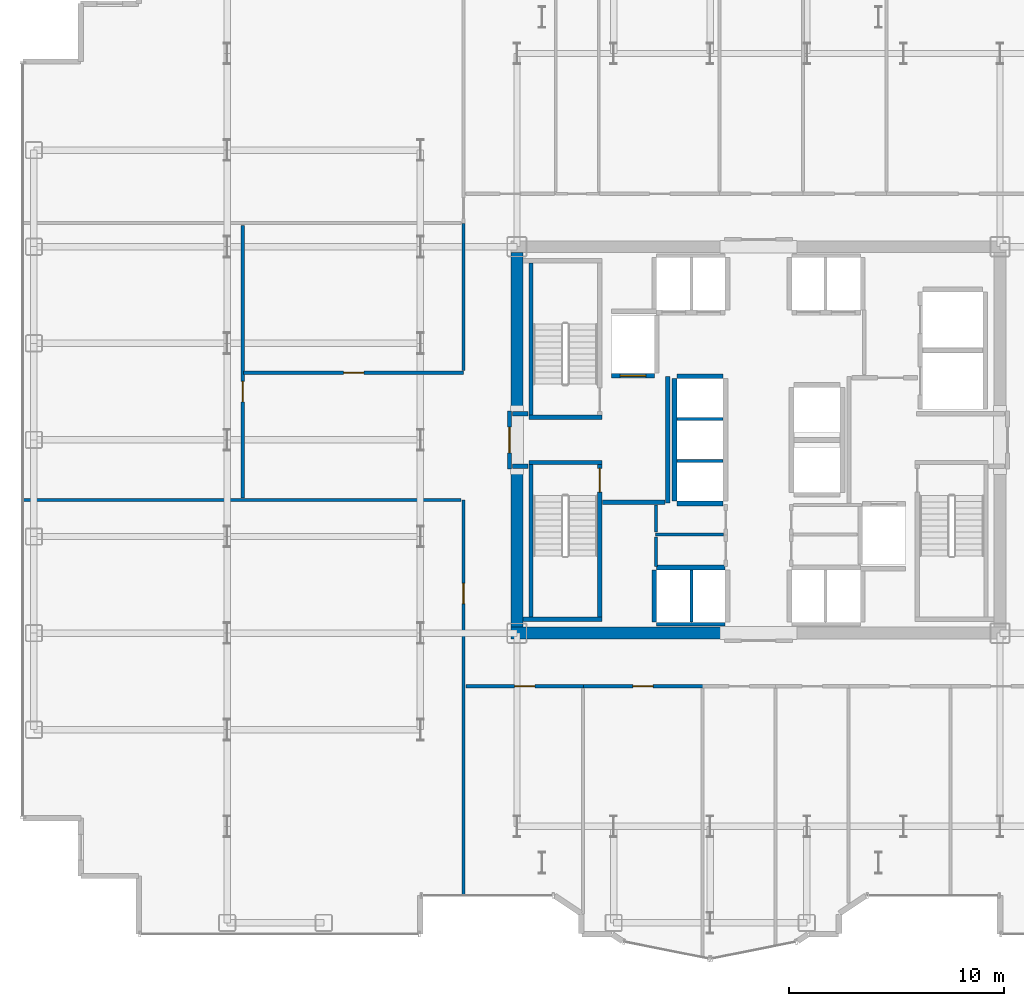
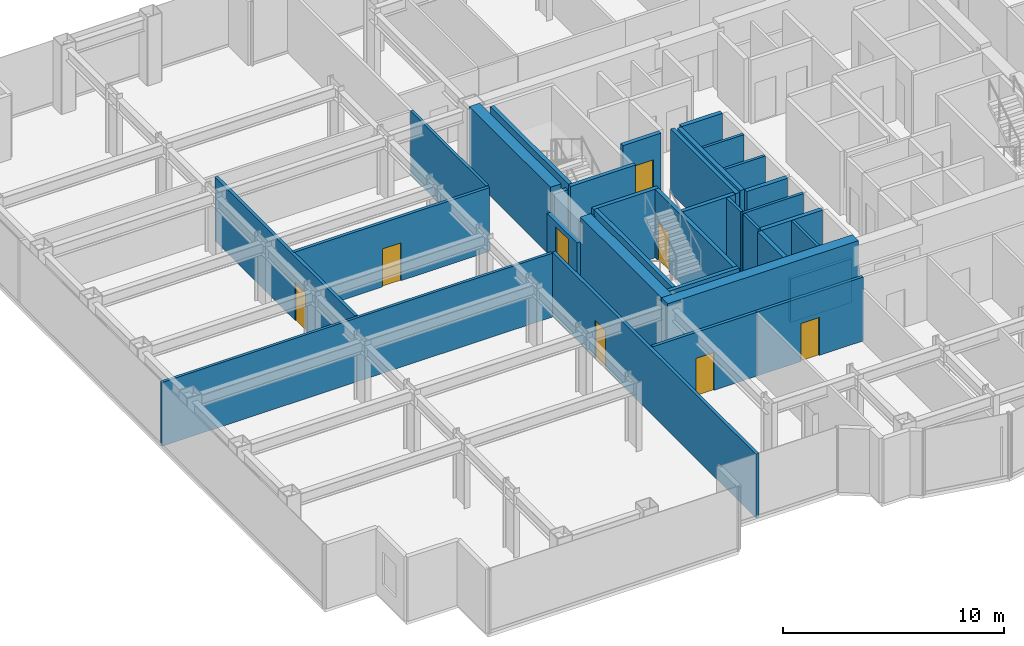
# One storey, part 20 of 25: 34 walls, 8 doors, 8 openings.
"""IFC4 building model written with IfcOpenShell, lengths in metres."""

from ifc_helpers import new_model, si_unit, direction, frame, frame_2d, origin, place, context, subcontext, project, spatial, rectangle, extrude, source, transform, mapped, material, layer, layer_set, type_object, element, fill, save


model = new_model("IFC4")

# Units and contexts
model_context = context("Model", 3, precision=1e-05, world=origin(), true_north=direction((0.0, 1.0)))
body_context = subcontext(model_context, "Body", "Model", "MODEL_VIEW")
ifc_project = project(units=[si_unit("LENGTHUNIT", "METRE"), si_unit("AREAUNIT", "SQUARE_METRE"), si_unit("VOLUMEUNIT", "CUBIC_METRE"), si_unit("PLANEANGLEUNIT", "RADIAN"), si_unit("MASSUNIT", "GRAM", prefix="KILO")], contexts=[model_context])

# Site, building, storey
site_placement = place(None, origin())
site = spatial("IfcSite", under=ifc_project, at=site_placement, CompositionType="ELEMENT")
building_placement = place(site_placement, origin())
building = spatial("IfcBuilding", under=site, at=building_placement, Name="Nefas-Gora Pilgrimage Tower", CompositionType="ELEMENT")
storey_placement = place(building_placement, frame((0.0, 0.0, 109.800048828125)))
storey = spatial("IfcBuildingStorey", under=building, at=storey_placement, Name="L26", CompositionType="ELEMENT", Elevation=109.800048828125)

# Walls
ifc_material_1 = material(Name="Concrete C60/75", Category="concrete")
ifc_layer_1 = layer(ifc_material_1, 0.550048828125)
ifc_layer_set_1 = layer_set([ifc_layer_1], Name="Concrete C60/75")
wall_type_1 = type_object("IfcWallType", Name="SW-CORE-550", PredefinedType="SHEAR", material=ifc_layer_set_1)
shared_shape_1 = source(origin(), body_context, "Body", "SweptSolid", [
    extrude(rectangle(XDim=9.974853515625, YDim=0.550048828125, at=frame_2d((4.9873046875, 0.0))), origin(), (0.0, 0.0, 1.0), 3.800048828125),
])
wall_1_placement = place(storey_placement, frame((-11.52490234375, -9.0, 0.0), z_axis=(0.0, 0.0, 1.0), x_axis=(1.0, 0.0, 0.0)))
element("IfcWall", 1, at=wall_1_placement, inside=storey, type_object=wall_type_1, Name="L26 Core Shear Wall S-West", PredefinedType="SHEAR", context=body_context, shape_type="MappedRepresentation", body=[
    mapped(shared_shape_1, transform((0.0, 0.0, 0.0), x_axis=(1.0, 0.0, 0.0), y_axis=(0.0, 1.0, 0.0), z_axis=(0.0, 0.0, 1.0), scale=1.0)),
])
shared_shape_2 = source(origin(), body_context, "Body", "SweptSolid", [
    extrude(rectangle(XDim=7.375, YDim=0.550048828125, at=frame_2d((3.6875, 0.0))), origin(), (0.0, 0.0, 1.0), 3.800048828125),
])
for number, where, z_axis, x_axis, name in (
    (2, (-11.25, -8.72509765625, 0.0), (0.0, 0.0, 1.0), (0.0, 1.0, 0.0), "L26 Core Shear Wall W-South"),
    (3, (-11.25, 1.35009765625, 0.0), (0.0, 0.0, 1.0), (0.0, 1.0, 0.0), "L26 Core Shear Wall W-North"),
):
    element("IfcWall", number, at=place(storey_placement, frame(where, z_axis=z_axis, x_axis=x_axis)), inside=storey, type_object=wall_type_1, Name=name, PredefinedType="SHEAR", context=body_context, shape_type="MappedRepresentation", body=[
        mapped(shared_shape_2, transform((0.0, 0.0, 0.0), x_axis=(1.0, 0.0, 0.0), y_axis=(0.0, 1.0, 0.0), z_axis=(0.0, 0.0, 1.0), scale=1.0)),
    ])
ifc_material_2 = material(Name="Concrete C45/55", Category="concrete")
ifc_layer_2 = layer(ifc_material_2, 0.199951171875)
ifc_layer_set_2 = layer_set([ifc_layer_2], Name="Concrete C45/55")
wall_type_2 = type_object("IfcWallType", Name="IW-STAIR-200", PredefinedType="SOLIDWALL", material=ifc_layer_set_2)
shared_shape_3 = source(origin(), body_context, "Body", "SweptSolid", [
    extrude(rectangle(XDim=3.39990234375, YDim=0.199951171875, at=frame_2d((1.699951171875, 0.0))), origin(), (0.0, 0.0, 1.0), 3.800048828125),
])
for number, where, z_axis, x_axis, name in (
    (4, (-7.300048828125, 1.050048828125, 0.0), (0.0, 0.0, 1.0), (-1.0, 0.0, 0.0), "L26 Stairwell Shear Wall ST-01-near"),
    (5, (-10.699951171875, -1.050048828125, 0.0), (0.0, 0.0, 1.0), (1.0, 0.0, 0.0), "L26 Stairwell Shear Wall ST-03-near"),
):
    element("IfcWall", number, at=place(storey_placement, frame(where, z_axis=z_axis, x_axis=x_axis)), inside=storey, type_object=wall_type_2, Name=name, PredefinedType="SOLIDWALL", context=body_context, shape_type="MappedRepresentation", body=[
        mapped(shared_shape_3, transform((0.0, 0.0, 0.0), x_axis=(1.0, 0.0, 0.0), y_axis=(0.0, 1.0, 0.0), z_axis=(0.0, 0.0, 1.0), scale=1.0)),
    ])
shared_shape_4 = source(origin(), body_context, "Body", "SweptSolid", [
    extrude(rectangle(XDim=7.10009765625, YDim=0.199951171875, at=frame_2d((3.550048828125, 0.0))), origin(), (0.0, 0.0, 1.0), 3.800048828125),
])
for number, where, z_axis, x_axis, name in (
    (6, (-10.60009765625, 1.14990234375, 0.0), (0.0, 0.0, 1.0), (0.0, 1.0, 0.0), "L26 Stairwell Shear Wall ST-01-right"),
    (7, (-10.60009765625, -1.14990234375, 0.0), (0.0, 0.0, 1.0), (0.0, -1.0, 0.0), "L26 Stairwell Shear Wall ST-03-left"),
):
    element("IfcWall", number, at=place(storey_placement, frame(where, z_axis=z_axis, x_axis=x_axis)), inside=storey, type_object=wall_type_2, Name=name, PredefinedType="SOLIDWALL", context=body_context, shape_type="MappedRepresentation", body=[
        mapped(shared_shape_4, transform((0.0, 0.0, 0.0), x_axis=(1.0, 0.0, 0.0), y_axis=(0.0, 1.0, 0.0), z_axis=(0.0, 0.0, 1.0), scale=1.0)),
    ])

# Wall, opening, door
wall_2_placement = place(storey_placement, frame((-7.39990234375, -1.14990234375, 0.0), z_axis=(0.0, 0.0, 1.0), x_axis=(0.0, -1.0, 0.0)))
wall_2 = element("IfcWall", 8, at=wall_2_placement, inside=storey, type_object=wall_type_2, Name="L26 Stairwell Shear Wall ST-03-right", PredefinedType="SOLIDWALL", context=body_context, shape_type="MappedRepresentation", body=[
    mapped(shared_shape_4, transform((0.0, 0.0, 0.0), x_axis=(1.0, 0.0, 0.0), y_axis=(0.0, 1.0, 0.0), z_axis=(0.0, 0.0, 1.0), scale=1.0)),
])
opening_1_placement = place(wall_2_placement, frame((0.179931640625, 0.0, 0.0)))
opening_1 = element("IfcOpeningElement", 9, at=opening_1_placement, cuts=wall_2, Name="Opening ID-ST1", PredefinedType="OPENING", context=body_context, shape_type="SweptSolid", body=[
    extrude(rectangle(XDim=1.10009765625, YDim=2.14990234375, at=frame_2d((0.550048828125, 1.074951171875))), frame((0.0, 0.10986328125, 0.0), z_axis=(0.0, -1.0, 0.0), x_axis=(1.0, 0.0, 0.0)), (0.0, 0.0, 1.0), 0.219970703125),
])
ifc_material_3 = material(Name="Painted galvanised steel fire stair door", Category="steel")
door_type_1 = type_object("IfcDoorType", Name="DR-INT-STAIR-1100", OperationType="NOTDEFINED", PredefinedType="DOOR", material=ifc_material_3)
shared_shape_5 = source(origin(), body_context, "Body", "SweptSolid", [
    extrude(rectangle(XDim=1.10009765625, YDim=2.14990234375, at=frame_2d((0.550048828125, 1.074951171875))), frame((0.0, 0.02490234375, 0.0), z_axis=(0.0, -1.0, 0.0), x_axis=(1.0, 0.0, 0.0)), (0.0, 0.0, 1.0), 0.050048828125),
])
door_1_placement = place(opening_1_placement, origin())
door_1 = element("IfcDoor", 10, at=door_1_placement, inside=storey, type_object=door_type_1, Name="L26 Protected Exit Stair Door ST-03", OperationType="SINGLE_SWING_RIGHT", OverallHeight=2.14990234375, OverallWidth=1.10009765625, PredefinedType="DOOR", context=body_context, shape_type="MappedRepresentation", body=[
    mapped(shared_shape_5, transform((0.0, 0.0, 0.0), x_axis=(1.0, 0.0, 0.0), y_axis=(0.0, 1.0, 0.0), z_axis=(0.0, 0.0, 1.0), scale=1.0)),
])
fill(opening_1, door_1)

# Wall
shared_shape_6 = source(origin(), body_context, "Body", "SweptSolid", [
    extrude(rectangle(XDim=3.679931640625, YDim=0.199951171875, at=frame_2d((1.83984375, 0.0))), origin(), (0.0, 0.0, 1.0), 3.800048828125),
])
wall_3_placement = place(storey_placement, frame((-10.97998046875, -8.35009765625, 0.0), z_axis=(0.0, 0.0, 1.0), x_axis=(1.0, 0.0, 0.0)))
element("IfcWall", 11, at=wall_3_placement, inside=storey, type_object=wall_type_2, Name="L26 Stairwell Shear Wall ST-03-far", PredefinedType="SOLIDWALL", context=body_context, shape_type="MappedRepresentation", body=[
    mapped(shared_shape_6, transform((0.0, 0.0, 0.0), x_axis=(1.0, 0.0, 0.0), y_axis=(0.0, 1.0, 0.0), z_axis=(0.0, 0.0, 1.0), scale=1.0)),
])

# Wall, opening, door
ifc_material_4 = material(Name="Concrete C40/50", Category="concrete")
ifc_layer_3 = layer(ifc_material_4, 0.219970703125)
ifc_layer_set_3 = layer_set([ifc_layer_3], Name="Concrete C40/50")
wall_type_3 = type_object("IfcWallType", Name="IW-SHAFT-220", PredefinedType="SOLIDWALL", material=ifc_layer_set_3)
shared_shape_7 = source(origin(), body_context, "Body", "SweptSolid", [
    extrude(rectangle(XDim=2.0, YDim=0.219970703125, at=frame_2d((1.0, 0.0))), origin(), (0.0, 0.0, 1.0), 3.534912109375),
])
wall_4_placement = place(storey_placement, frame((-6.85009765625, 2.989990234375, 0.0), z_axis=(0.0, 0.0, 1.0), x_axis=(1.0, 0.0, 0.0)))
wall_4 = element("IfcWall", 12, at=wall_4_placement, inside=storey, type_object=wall_type_3, Name="L26 Hoistway Wall FFL-01-S", PredefinedType="SOLIDWALL", context=body_context, shape_type="MappedRepresentation", body=[
    mapped(shared_shape_7, transform((0.0, 0.0, 0.0), x_axis=(1.0, 0.0, 0.0), y_axis=(0.0, 1.0, 0.0), z_axis=(0.0, 0.0, 1.0), scale=1.0)),
])
opening_2_placement = place(wall_4_placement, frame((0.39990234375, 0.0, 0.0)))
opening_2 = element("IfcOpeningElement", 13, at=opening_2_placement, cuts=wall_4, Name="Opening LD-FF", PredefinedType="OPENING", context=body_context, shape_type="SweptSolid", body=[
    extrude(rectangle(XDim=1.199951171875, YDim=2.199951171875, at=frame_2d((0.60009765625, 1.10009765625))), frame((0.0, 0.119873046875, 0.0), z_axis=(0.0, -1.0, 0.0), x_axis=(1.0, 0.0, 0.0)), (0.0, 0.0, 1.0), 0.239990234375),
])
ifc_material_5 = material(Name="Fire-service sliding lift landing door")
door_type_2 = type_object("IfcDoorType", Name="DR-LIFT-FSAE-1200", OperationType="SLIDING_TO_LEFT", PredefinedType="DOOR", material=ifc_material_5)
shared_shape_8 = source(origin(), body_context, "Body", "SweptSolid", [
    extrude(rectangle(XDim=1.199951171875, YDim=2.199951171875, at=frame_2d((0.60009765625, 1.10009765625))), frame((0.0, 0.02490234375, 0.0), z_axis=(0.0, -1.0, 0.0), x_axis=(1.0, 0.0, 0.0)), (0.0, 0.0, 1.0), 0.050048828125),
])
door_2_placement = place(opening_2_placement, origin())
door_2 = element("IfcDoor", 14, at=door_2_placement, inside=storey, type_object=door_type_2, Name="L26 Sliding Lift Landing Door FFL-01", OperationType="SLIDING_TO_LEFT", OverallHeight=2.199951171875, OverallWidth=1.199951171875, PredefinedType="DOOR", context=body_context, shape_type="MappedRepresentation", body=[
    mapped(shared_shape_8, transform((0.0, 0.0, 0.0), x_axis=(1.0, 0.0, 0.0), y_axis=(0.0, 1.0, 0.0), z_axis=(0.0, 0.0, 1.0), scale=1.0)),
])
fill(opening_2, door_2)

# Walls
shared_shape_9 = source(origin(), body_context, "Body", "SweptSolid", [
    extrude(rectangle(XDim=3.199951171875, YDim=0.219970703125, at=frame_2d((1.60009765625, 0.0))), origin(), (0.0, 0.0, 1.0), 3.534912109375),
])
wall_5_placement = place(storey_placement, frame((-1.550048828125, -5.93994140625, 0.0), z_axis=(0.0, 0.0, 1.0), x_axis=(-1.0, 0.0, 0.0)))
element("IfcWall", 15, at=wall_5_placement, inside=storey, type_object=wall_type_3, Name="L26 Hoistway Wall PL2-W-N", PredefinedType="SOLIDWALL", context=body_context, shape_type="MappedRepresentation", body=[
    mapped(shared_shape_9, transform((0.0, 0.0, 0.0), x_axis=(1.0, 0.0, 0.0), y_axis=(0.0, 1.0, 0.0), z_axis=(0.0, 0.0, 1.0), scale=1.0)),
])
ifc_material_6 = material(Name="Gypsum acoustic stud partition")
ifc_layer_4 = layer(ifc_material_6, 0.159912109375)
ifc_layer_set_4 = layer_set([ifc_layer_4], Name="Gypsum acoustic stud partition")
wall_type_4 = type_object("IfcWallType", Name="IW-CORR-160", PredefinedType="PARTITIONING", material=ifc_layer_set_4)
shared_shape_10 = source(origin(), body_context, "Body", "SweptSolid", [
    extrude(rectangle(XDim=3.199951171875, YDim=0.159912109375, at=frame_2d((1.60009765625, 0.0))), origin(), (0.0, 0.0, 1.0), 2.425048828125),
])
wall_6_placement = place(storey_placement, frame((-4.75, -8.580078125, 0.0), z_axis=(0.0, 0.0, 1.0), x_axis=(1.0, 0.0, 0.0)))
element("IfcWall", 16, at=wall_6_placement, inside=storey, type_object=wall_type_4, Name="L26 Hoistway Wall PL2-W-S", PredefinedType="PARTITIONING", context=body_context, shape_type="MappedRepresentation", body=[
    mapped(shared_shape_10, transform((0.0, 0.0, 0.0), x_axis=(1.0, 0.0, 0.0), y_axis=(0.0, 1.0, 0.0), z_axis=(0.0, 0.0, 1.0), scale=1.0)),
])
shared_shape_11 = source(origin(), body_context, "Body", "SweptSolid", [
    extrude(rectangle(XDim=2.429931640625, YDim=0.219970703125, at=frame_2d((1.21484375, 0.0))), origin(), (0.0, 0.0, 1.0), 3.534912109375),
])
wall_7_placement = place(storey_placement, frame((-4.860107421875, -6.06005859375, 0.0), z_axis=(0.0, 0.0, 1.0), x_axis=(0.0, -1.0, 0.0)))
element("IfcWall", 17, at=wall_7_placement, inside=storey, type_object=wall_type_3, Name="L26 Hoistway Wall PL2-W-W", PredefinedType="SOLIDWALL", context=body_context, shape_type="MappedRepresentation", body=[
    mapped(shared_shape_11, transform((0.0, 0.0, 0.0), x_axis=(1.0, 0.0, 0.0), y_axis=(0.0, 1.0, 0.0), z_axis=(0.0, 0.0, 1.0), scale=1.0)),
])
ifc_material_7 = material(Name="Gypsum twin-stud partition")
ifc_layer_5 = layer(ifc_material_7, 0.139892578125)
ifc_layer_set_5 = layer_set([ifc_layer_5], Name="Gypsum twin-stud partition")
wall_type_5 = type_object("IfcWallType", Name="IW-UNIT-140", PredefinedType="PARTITIONING", material=ifc_layer_set_5)
shared_shape_12 = source(origin(), body_context, "Body", "SweptSolid", [
    extrude(rectangle(XDim=2.429931640625, YDim=0.139892578125, at=frame_2d((1.21484375, 0.0))), origin(), (0.0, 0.0, 1.0), 3.534912109375),
])
wall_8_placement = place(storey_placement, frame((-3.125, -8.489990234375, 0.0), z_axis=(0.0, 0.0, 1.0), x_axis=(0.0, 1.0, 0.0)))
element("IfcWall", 18, at=wall_8_placement, inside=storey, type_object=wall_type_5, Name="L26 Hoistway Wall PL2-W-DIV", PredefinedType="PARTITIONING", context=body_context, shape_type="MappedRepresentation", body=[
    mapped(shared_shape_12, transform((0.0, 0.0, 0.0), x_axis=(1.0, 0.0, 0.0), y_axis=(0.0, 1.0, 0.0), z_axis=(0.0, 0.0, 1.0), scale=1.0)),
])
shared_shape_13 = source(origin(), body_context, "Body", "SweptSolid", [
    extrude(rectangle(XDim=5.7001953125, YDim=0.219970703125, at=frame_2d((2.85009765625, 0.0))), origin(), (0.0, 0.0, 1.0), 3.534912109375),
])
wall_9_placement = place(storey_placement, frame((-3.909912109375, 2.85009765625, 0.0), z_axis=(0.0, 0.0, 1.0), x_axis=(0.0, -1.0, 0.0)))
element("IfcWall", 19, at=wall_9_placement, inside=storey, type_object=wall_type_3, Name="L26 Hoistway Wall PL3-01-03-W", PredefinedType="SOLIDWALL", context=body_context, shape_type="MappedRepresentation", body=[
    mapped(shared_shape_13, transform((0.0, 0.0, 0.0), x_axis=(1.0, 0.0, 0.0), y_axis=(0.0, 1.0, 0.0), z_axis=(0.0, 0.0, 1.0), scale=1.0)),
])
shared_shape_14 = source(origin(), body_context, "Body", "SweptSolid", [
    extrude(rectangle(XDim=2.130126953125, YDim=0.219970703125, at=frame_2d((1.06494140625, 0.0))), origin(), (0.0, 0.0, 1.0), 3.534912109375),
])
for number, where, z_axis, x_axis, name in (
    (20, (-3.7900390625, -2.9599609375, 0.0), (0.0, 0.0, 1.0), (1.0, 0.0, 0.0), "L26 Hoistway Wall PL3-01-S"),
    (21, (-1.659912109375, 2.9599609375, 0.0), (0.0, 0.0, 1.0), (-1.0, 0.0, 0.0), "L26 Hoistway Wall PL3-03-N"),
):
    element("IfcWall", number, at=place(storey_placement, frame(where, z_axis=z_axis, x_axis=x_axis)), inside=storey, type_object=wall_type_3, Name=name, PredefinedType="SOLIDWALL", context=body_context, shape_type="MappedRepresentation", body=[
        mapped(shared_shape_14, transform((0.0, 0.0, 0.0), x_axis=(1.0, 0.0, 0.0), y_axis=(0.0, 1.0, 0.0), z_axis=(0.0, 0.0, 1.0), scale=1.0)),
    ])
shared_shape_15 = source(origin(), body_context, "Body", "SweptSolid", [
    extrude(rectangle(XDim=2.130126953125, YDim=0.139892578125, at=frame_2d((1.06494140625, 0.0))), origin(), (0.0, 0.0, 1.0), 3.534912109375),
])
for number, where, z_axis, x_axis, name in (
    (22, (-3.7900390625, -0.97509765625, 0.0), (0.0, 0.0, 1.0), (1.0, 0.0, 0.0), "L26 Hoistway Wall PL3-01-02-DIV"),
    (23, (-3.7900390625, 0.97509765625, 0.0), (0.0, 0.0, 1.0), (1.0, 0.0, 0.0), "L26 Hoistway Wall PL3-02-03-DIV"),
):
    element("IfcWall", number, at=place(storey_placement, frame(where, z_axis=z_axis, x_axis=x_axis)), inside=storey, type_object=wall_type_5, Name=name, PredefinedType="PARTITIONING", context=body_context, shape_type="MappedRepresentation", body=[
        mapped(shared_shape_15, transform((0.0, 0.0, 0.0), x_axis=(1.0, 0.0, 0.0), y_axis=(0.0, 1.0, 0.0), z_axis=(0.0, 0.0, 1.0), scale=1.0)),
    ])

# Wall, opening, door
ifc_material_8 = material(Name="Gypsum fire-rated shaftwall")
ifc_layer_6 = layer(ifc_material_8, 0.199951171875)
ifc_layer_set_6 = layer_set([ifc_layer_6], Name="Gypsum fire-rated shaftwall")
wall_type_6 = type_object("IfcWallType", Name="IW-FFLOB-200", PredefinedType="PARTITIONING", material=ifc_layer_set_6)
shared_shape_16 = source(origin(), body_context, "Body", "SweptSolid", [
    extrude(rectangle(XDim=2.7001953125, YDim=0.199951171875, at=frame_2d((1.35009765625, 0.0))), origin(), (0.0, 0.0, 1.0), 2.425048828125),
])
wall_10_placement = place(storey_placement, frame((-11.60009765625, -1.35009765625, 0.0), z_axis=(0.0, 0.0, 1.0), x_axis=(0.0, 1.0, 0.0)))
wall_10 = element("IfcWall", 24, at=wall_10_placement, inside=storey, type_object=wall_type_6, Name="L26 FF Lobby West Portal Wall 3", PredefinedType="PARTITIONING", context=body_context, shape_type="MappedRepresentation", body=[
    mapped(shared_shape_16, transform((0.0, 0.0, 0.0), x_axis=(1.0, 0.0, 0.0), y_axis=(0.0, 1.0, 0.0), z_axis=(0.0, 0.0, 1.0), scale=1.0)),
])
opening_3_placement = place(wall_10_placement, frame((0.75, 0.0, 0.0)))
opening_3 = element("IfcOpeningElement", 25, at=opening_3_placement, cuts=wall_10, Name="Opening ID-FF1", PredefinedType="OPENING", context=body_context, shape_type="SweptSolid", body=[
    extrude(rectangle(XDim=1.199951171875, YDim=2.14990234375, at=frame_2d((0.60009765625, 1.074951171875))), frame((0.0, 0.10986328125, 0.0), z_axis=(0.0, -1.0, 0.0), x_axis=(1.0, 0.0, 0.0)), (0.0, 0.0, 1.0), 0.219970703125),
])
ifc_material_9 = material(Name="Smoke-sealed steel firefighting lobby door", Category="steel")
door_type_3 = type_object("IfcDoorType", Name="DR-INT-FFLOB-1200", OperationType="NOTDEFINED", PredefinedType="DOOR", material=ifc_material_9)
shared_shape_17 = source(origin(), body_context, "Body", "SweptSolid", [
    extrude(rectangle(XDim=1.199951171875, YDim=2.14990234375, at=frame_2d((0.60009765625, 1.074951171875))), frame((0.0, 0.02490234375, 0.0), z_axis=(0.0, -1.0, 0.0), x_axis=(1.0, 0.0, 0.0)), (0.0, 0.0, 1.0), 0.050048828125),
])
door_3_placement = place(opening_3_placement, origin())
door_3 = element("IfcDoor", 26, at=door_3_placement, inside=storey, type_object=door_type_3, Name="L26 FF Lobby West Portal Door 1", OperationType="SINGLE_SWING_LEFT", OverallHeight=2.14990234375, OverallWidth=1.199951171875, PredefinedType="DOOR", context=body_context, shape_type="MappedRepresentation", body=[
    mapped(shared_shape_17, transform((0.0, 0.0, 0.0), x_axis=(1.0, 0.0, 0.0), y_axis=(0.0, 1.0, 0.0), z_axis=(0.0, 0.0, 1.0), scale=1.0)),
])
fill(opening_3, door_3)

# Walls
shared_shape_18 = source(origin(), body_context, "Body", "SweptSolid", [
    extrude(rectangle(XDim=5.89990234375, YDim=0.199951171875, at=frame_2d((2.949951171875, 0.0))), origin(), (0.0, 0.0, 1.0), 3.534912109375),
])
wall_11_placement = place(storey_placement, frame((-4.219970703125, -2.949951171875, 0.0), z_axis=(0.0, 0.0, 1.0), x_axis=(0.0, 1.0, 0.0)))
element("IfcWall", 27, at=wall_11_placement, inside=storey, type_object=wall_type_6, Name="L26 FF Lobby West Inner Wall Wall 4", PredefinedType="PARTITIONING", context=body_context, shape_type="MappedRepresentation", body=[
    mapped(shared_shape_18, transform((0.0, 0.0, 0.0), x_axis=(1.0, 0.0, 0.0), y_axis=(0.0, 1.0, 0.0), z_axis=(0.0, 0.0, 1.0), scale=1.0)),
])
shared_shape_19 = source(origin(), body_context, "Body", "SweptSolid", [
    extrude(rectangle(XDim=2.89990234375, YDim=0.199951171875, at=frame_2d((1.449951171875, 0.0))), origin(), (0.0, 0.0, 1.0), 3.534912109375),
])
wall_12_placement = place(storey_placement, frame((-7.260009765625, -2.89990234375, 0.0), z_axis=(0.0, 0.0, 1.0), x_axis=(1.0, 0.0, 0.0)))
element("IfcWall", 28, at=wall_12_placement, inside=storey, type_object=wall_type_6, Name="L26 FF Lobby West South Wall Wall 5", PredefinedType="PARTITIONING", context=body_context, shape_type="MappedRepresentation", body=[
    mapped(shared_shape_19, transform((0.0, 0.0, 0.0), x_axis=(1.0, 0.0, 0.0), y_axis=(0.0, 1.0, 0.0), z_axis=(0.0, 0.0, 1.0), scale=1.0)),
])
shared_shape_20 = source(origin(), body_context, "Body", "SweptSolid", [
    extrude(rectangle(XDim=0.719970703125, YDim=0.199951171875, at=frame_2d((0.35986328125, 0.0))), origin(), (0.0, 0.0, 1.0), 3.534912109375),
])
for number, where, z_axis, x_axis, name in (
    (29, (-11.4599609375, 1.219970703125, 0.0), (0.0, 0.0, 1.0), (1.0, 0.0, 0.0), "L26 FF Lobby West Throat N Wall 6"),
    (30, (-11.4599609375, -1.219970703125, 0.0), (0.0, 0.0, 1.0), (1.0, 0.0, 0.0), "L26 FF Lobby West Throat S Wall 7"),
):
    element("IfcWall", number, at=place(storey_placement, frame(where, z_axis=z_axis, x_axis=x_axis)), inside=storey, type_object=wall_type_6, Name=name, PredefinedType="PARTITIONING", context=body_context, shape_type="MappedRepresentation", body=[
        mapped(shared_shape_20, transform((0.0, 0.0, 0.0), x_axis=(1.0, 0.0, 0.0), y_axis=(0.0, 1.0, 0.0), z_axis=(0.0, 0.0, 1.0), scale=1.0)),
    ])

# Wall, opening, door
shared_shape_21 = source(origin(), body_context, "Body", "SweptSolid", [
    extrude(rectangle(XDim=10.25, YDim=0.159912109375, at=frame_2d((5.125, 0.0))), origin(), (0.0, 0.0, 1.0), 3.534912109375),
])
wall_13_placement = place(storey_placement, frame((-23.97998046875, 3.1201171875, 0.0), z_axis=(0.0, 0.0, 1.0), x_axis=(1.0, 0.0, 0.0)))
wall_13 = element("IfcWall", 31, at=wall_13_placement, inside=storey, type_object=wall_type_4, Name="L26 Pilgrim Floor Concierge Foyer Partition Wall 32", PredefinedType="PARTITIONING", context=body_context, shape_type="MappedRepresentation", body=[
    mapped(shared_shape_21, transform((0.0, 0.0, 0.0), x_axis=(1.0, 0.0, 0.0), y_axis=(0.0, 1.0, 0.0), z_axis=(0.0, 0.0, 1.0), scale=1.0)),
])
opening_4_placement = place(wall_13_placement, frame((4.64990234375, 0.0, 0.0)))
opening_4 = element("IfcOpeningElement", 32, at=opening_4_placement, cuts=wall_13, Name="Opening ID-GR1", PredefinedType="OPENING", context=body_context, shape_type="SweptSolid", body=[
    extrude(rectangle(XDim=0.949951171875, YDim=2.10009765625, at=frame_2d((0.47509765625, 1.050048828125))), frame((0.0, 0.08984375, 0.0), z_axis=(0.0, -1.0, 0.0), x_axis=(1.0, 0.0, 0.0)), (0.0, 0.0, 1.0), 0.179931640625),
])
ifc_material_10 = material(Name="Solid core oak fire-rated guest entrance door")
door_type_4 = type_object("IfcDoorType", Name="DR-INT-GUEST-950", OperationType="NOTDEFINED", PredefinedType="DOOR", material=ifc_material_10)
shared_shape_22 = source(origin(), body_context, "Body", "SweptSolid", [
    extrude(rectangle(XDim=0.949951171875, YDim=2.10009765625, at=frame_2d((0.47509765625, 1.050048828125))), frame((0.0, 0.02490234375, 0.0), z_axis=(0.0, -1.0, 0.0), x_axis=(1.0, 0.0, 0.0)), (0.0, 0.0, 1.0), 0.050048828125),
])
door_4_placement = place(opening_4_placement, origin())
door_4 = element("IfcDoor", 33, at=door_4_placement, inside=storey, type_object=door_type_4, Name="L26 Pilgrim Floor Concierge Foyer Door 13", OperationType="SINGLE_SWING_LEFT", OverallHeight=2.10009765625, OverallWidth=0.949951171875, PredefinedType="DOOR", context=body_context, shape_type="MappedRepresentation", body=[
    mapped(shared_shape_22, transform((0.0, 0.0, 0.0), x_axis=(1.0, 0.0, 0.0), y_axis=(0.0, 1.0, 0.0), z_axis=(0.0, 0.0, 1.0), scale=1.0)),
])
fill(opening_4, door_4)

# Walls
shared_shape_23 = source(origin(), body_context, "Body", "SweptSolid", [
    extrude(rectangle(XDim=20.429931640625, YDim=0.139892578125, at=frame_2d((10.21484375, 0.0))), origin(), (0.0, 0.0, 1.0), 3.534912109375),
])
wall_14_placement = place(storey_placement, frame((-34.2900390625, -2.804931640625, 0.0), z_axis=(0.0, 0.0, 1.0), x_axis=(1.0, 0.0, 0.0)))
element("IfcWall", 34, at=wall_14_placement, inside=storey, type_object=wall_type_5, Name="L26 Pilgrim Floor Concierge Foyer Partition Wall 29", PredefinedType="PARTITIONING", context=body_context, shape_type="MappedRepresentation", body=[
    mapped(shared_shape_23, transform((0.0, 0.0, 0.0), x_axis=(1.0, 0.0, 0.0), y_axis=(0.0, 1.0, 0.0), z_axis=(0.0, 0.0, 1.0), scale=1.0)),
])
shared_shape_24 = source(origin(), body_context, "Body", "SweptSolid", [
    extrude(rectangle(XDim=3.150146484375, YDim=0.139892578125, at=frame_2d((1.5751953125, 0.0))), origin(), (0.0, 0.0, 1.0), 3.534912109375),
])
wall_15_placement = place(storey_placement, frame((-4.7900390625, -4.409912109375, 0.0), z_axis=(0.0, 0.0, 1.0), x_axis=(1.0, 0.0, 0.0)))
element("IfcWall", 35, at=wall_15_placement, inside=storey, type_object=wall_type_5, Name="L26 Housekeeping and Linen Store Partition Wall 17", PredefinedType="PARTITIONING", context=body_context, shape_type="MappedRepresentation", body=[
    mapped(shared_shape_24, transform((0.0, 0.0, 0.0), x_axis=(1.0, 0.0, 0.0), y_axis=(0.0, 1.0, 0.0), z_axis=(0.0, 0.0, 1.0), scale=1.0)),
])
shared_shape_25 = source(origin(), body_context, "Body", "SweptSolid", [
    extrude(rectangle(XDim=1.260009765625, YDim=0.139892578125, at=frame_2d((0.6298828125, 0.0))), origin(), (0.0, 0.0, 1.0), 3.534912109375),
])
wall_16_placement = place(storey_placement, frame((-4.780029296875, -4.300048828125, 0.0), z_axis=(0.0, 0.0, 1.0), x_axis=(0.0, 1.0, 0.0)))
element("IfcWall", 36, at=wall_16_placement, inside=storey, type_object=wall_type_5, Name="L26 Housekeeping and Linen Store Partition Wall 18", PredefinedType="PARTITIONING", context=body_context, shape_type="MappedRepresentation", body=[
    mapped(shared_shape_25, transform((0.0, 0.0, 0.0), x_axis=(1.0, 0.0, 0.0), y_axis=(0.0, 1.0, 0.0), z_axis=(0.0, 0.0, 1.0), scale=1.0)),
])
shared_shape_26 = source(origin(), body_context, "Body", "SweptSolid", [
    extrude(rectangle(XDim=1.369873046875, YDim=0.139892578125, at=frame_2d((0.68505859375, 0.0))), origin(), (0.0, 0.0, 1.0), 3.534912109375),
])
wall_17_placement = place(storey_placement, frame((-4.780029296875, -5.889892578125, 0.0), z_axis=(0.0, 0.0, 1.0), x_axis=(0.0, 1.0, 0.0)))
element("IfcWall", 37, at=wall_17_placement, inside=storey, type_object=wall_type_5, Name="L26 Guest Self-Service Laundry Room Partition Wall 20", PredefinedType="PARTITIONING", context=body_context, shape_type="MappedRepresentation", body=[
    mapped(shared_shape_26, transform((0.0, 0.0, 0.0), x_axis=(1.0, 0.0, 0.0), y_axis=(0.0, 1.0, 0.0), z_axis=(0.0, 0.0, 1.0), scale=1.0)),
])

# Wall, opening, door
shared_shape_27 = source(origin(), body_context, "Body", "SweptSolid", [
    extrude(rectangle(XDim=18.445068359375, YDim=0.159912109375, at=frame_2d((9.22265625, 0.0))), origin(), (0.0, 0.0, 1.0), 3.534912109375),
])
wall_18_placement = place(storey_placement, frame((-13.739990234375, -21.239990234375, 0.0), z_axis=(0.0, 0.0, 1.0), x_axis=(0.0, 1.0, 0.0)))
wall_18 = element("IfcWall", 38, at=wall_18_placement, inside=storey, type_object=wall_type_4, Name="L26 Pilgrim Floor Concierge Foyer Partition Wall 28", PredefinedType="PARTITIONING", context=body_context, shape_type="MappedRepresentation", body=[
    mapped(shared_shape_27, transform((0.0, 0.0, 0.0), x_axis=(1.0, 0.0, 0.0), y_axis=(0.0, 1.0, 0.0), z_axis=(0.0, 0.0, 1.0), scale=1.0)),
])
opening_5_placement = place(wall_18_placement, frame((13.612548828125, 0.0, 0.0)))
opening_5 = element("IfcOpeningElement", 39, at=opening_5_placement, cuts=wall_18, Name="Opening ID-GR1", PredefinedType="OPENING", context=body_context, shape_type="SweptSolid", body=[
    extrude(rectangle(XDim=0.949951171875, YDim=2.10009765625, at=frame_2d((0.47509765625, 1.050048828125))), frame((0.0, 0.08984375, 0.0), z_axis=(0.0, -1.0, 0.0), x_axis=(1.0, 0.0, 0.0)), (0.0, 0.0, 1.0), 0.179931640625),
])
door_5_placement = place(opening_5_placement, origin())
door_5 = element("IfcDoor", 40, at=door_5_placement, inside=storey, type_object=door_type_4, Name="L26 Pilgrim Floor Concierge Foyer Door 11", OperationType="SINGLE_SWING_LEFT", OverallHeight=2.10009765625, OverallWidth=0.949951171875, PredefinedType="DOOR", context=body_context, shape_type="MappedRepresentation", body=[
    mapped(shared_shape_22, transform((0.0, 0.0, 0.0), x_axis=(1.0, 0.0, 0.0), y_axis=(0.0, 1.0, 0.0), z_axis=(0.0, 0.0, 1.0), scale=1.0)),
])
fill(opening_5, door_5)

# Wall
shared_shape_28 = source(origin(), body_context, "Body", "SweptSolid", [
    extrude(rectangle(XDim=6.847412109375, YDim=0.139892578125, at=frame_2d((3.423828125, 0.0))), origin(), (0.0, 0.0, 1.0), 3.534912109375),
])
wall_19_placement = place(storey_placement, frame((-13.739990234375, 3.239990234375, 0.0), z_axis=(0.0, 0.0, 1.0), x_axis=(0.0, 1.0, 0.0)))
element("IfcWall", 41, at=wall_19_placement, inside=storey, type_object=wall_type_5, Name="L26 Pilgrim Floor Concierge Foyer Partition Wall 33", PredefinedType="PARTITIONING", context=body_context, shape_type="MappedRepresentation", body=[
    mapped(shared_shape_28, transform((0.0, 0.0, 0.0), x_axis=(1.0, 0.0, 0.0), y_axis=(0.0, 1.0, 0.0), z_axis=(0.0, 0.0, 1.0), scale=1.0)),
])

# Wall, opening, door
shared_shape_29 = source(origin(), body_context, "Body", "SweptSolid", [
    extrude(rectangle(XDim=12.6826171875, YDim=0.159912109375, at=frame_2d((6.34130859375, 0.0))), origin(), (0.0, 0.0, 1.0), 3.534912109375),
])
wall_20_placement = place(storey_placement, frame((-24.02001953125, -2.695068359375, 0.0), z_axis=(0.0, 0.0, 1.0), x_axis=(0.0, 1.0, 0.0)))
wall_20 = element("IfcWall", 42, at=wall_20_placement, inside=storey, type_object=wall_type_4, Name="L26 Pilgrim Tea and Beverage Pantry Partition Wall 34", PredefinedType="PARTITIONING", context=body_context, shape_type="MappedRepresentation", body=[
    mapped(shared_shape_29, transform((0.0, 0.0, 0.0), x_axis=(1.0, 0.0, 0.0), y_axis=(0.0, 1.0, 0.0), z_axis=(0.0, 0.0, 1.0), scale=1.0)),
])
opening_6_placement = place(wall_20_placement, frame((4.469970703125, 0.0, 0.0)))
opening_6 = element("IfcOpeningElement", 43, at=opening_6_placement, cuts=wall_20, Name="Opening ID-GR1", PredefinedType="OPENING", context=body_context, shape_type="SweptSolid", body=[
    extrude(rectangle(XDim=0.949951171875, YDim=2.10009765625, at=frame_2d((0.47509765625, 1.050048828125))), frame((0.0, 0.08984375, 0.0), z_axis=(0.0, -1.0, 0.0), x_axis=(1.0, 0.0, 0.0)), (0.0, 0.0, 1.0), 0.179931640625),
])
door_6_placement = place(opening_6_placement, origin())
door_6 = element("IfcDoor", 44, at=door_6_placement, inside=storey, type_object=door_type_4, Name="L26 Pilgrim Tea and Beverage Pantry Door 14", OperationType="SINGLE_SWING_RIGHT", OverallHeight=2.10009765625, OverallWidth=0.949951171875, PredefinedType="DOOR", context=body_context, shape_type="MappedRepresentation", body=[
    mapped(shared_shape_22, transform((0.0, 0.0, 0.0), x_axis=(1.0, 0.0, 0.0), y_axis=(0.0, 1.0, 0.0), z_axis=(0.0, 0.0, 1.0), scale=1.0)),
])
fill(opening_6, door_6)

shared_shape_30 = source(origin(), body_context, "Body", "SweptSolid", [
    extrude(rectangle(XDim=5.460205078125, YDim=0.159912109375, at=frame_2d((2.72998046875, 0.0))), origin(), (0.0, 0.0, 1.0), 3.534912109375),
])
wall_21_placement = place(storey_placement, frame((-13.6201171875, -11.469970703125, 0.0), z_axis=(0.0, 0.0, 1.0), x_axis=(1.0, 0.0, 0.0)))
wall_21 = element("IfcWall", 45, at=wall_21_placement, inside=storey, type_object=wall_type_4, Name="L26 Pilgrim Contemplative Lounge Partition Wall 48", PredefinedType="PARTITIONING", context=body_context, shape_type="MappedRepresentation", body=[
    mapped(shared_shape_30, transform((0.0, 0.0, 0.0), x_axis=(1.0, 0.0, 0.0), y_axis=(0.0, 1.0, 0.0), z_axis=(0.0, 0.0, 1.0), scale=1.0)),
])
opening_7_placement = place(wall_21_placement, frame((2.2548828125, 0.0, 0.0)))
opening_7 = element("IfcOpeningElement", 46, at=opening_7_placement, cuts=wall_21, Name="Opening ID-GR1", PredefinedType="OPENING", context=body_context, shape_type="SweptSolid", body=[
    extrude(rectangle(XDim=0.949951171875, YDim=2.10009765625, at=frame_2d((0.47509765625, 1.050048828125))), frame((0.0, 0.08984375, 0.0), z_axis=(0.0, -1.0, 0.0), x_axis=(1.0, 0.0, 0.0)), (0.0, 0.0, 1.0), 0.179931640625),
])
door_7_placement = place(opening_7_placement, origin())
door_7 = element("IfcDoor", 47, at=door_7_placement, inside=storey, type_object=door_type_4, Name="L26 Pilgrim Contemplative Lounge Door 23", OperationType="SINGLE_SWING_LEFT", OverallHeight=2.10009765625, OverallWidth=0.949951171875, PredefinedType="DOOR", context=body_context, shape_type="MappedRepresentation", body=[
    mapped(shared_shape_22, transform((0.0, 0.0, 0.0), x_axis=(1.0, 0.0, 0.0), y_axis=(0.0, 1.0, 0.0), z_axis=(0.0, 0.0, 1.0), scale=1.0)),
])
fill(opening_7, door_7)

shared_shape_31 = source(origin(), body_context, "Body", "SweptSolid", [
    extrude(rectangle(XDim=5.56494140625, YDim=0.159912109375, at=frame_2d((2.782470703125, 0.0))), origin(), (0.0, 0.0, 1.0), 3.534912109375),
])
wall_22_placement = place(storey_placement, frame((-8.159912109375, -11.469970703125, 0.0), z_axis=(0.0, 0.0, 1.0), x_axis=(1.0, 0.0, 0.0)))
wall_22 = element("IfcWall", 48, at=wall_22_placement, inside=storey, type_object=wall_type_4, Name="L26 Pilgrim Contemplative Lounge Partition Wall 50", PredefinedType="PARTITIONING", context=body_context, shape_type="MappedRepresentation", body=[
    mapped(shared_shape_31, transform((0.0, 0.0, 0.0), x_axis=(1.0, 0.0, 0.0), y_axis=(0.0, 1.0, 0.0), z_axis=(0.0, 0.0, 1.0), scale=1.0)),
])
opening_8_placement = place(wall_22_placement, frame((2.3076171875, 0.0, 0.0)))
opening_8 = element("IfcOpeningElement", 49, at=opening_8_placement, cuts=wall_22, Name="Opening ID-GR1", PredefinedType="OPENING", context=body_context, shape_type="SweptSolid", body=[
    extrude(rectangle(XDim=0.949951171875, YDim=2.10009765625, at=frame_2d((0.47509765625, 1.050048828125))), frame((0.0, 0.08984375, 0.0), z_axis=(0.0, -1.0, 0.0), x_axis=(1.0, 0.0, 0.0)), (0.0, 0.0, 1.0), 0.179931640625),
])
door_8_placement = place(opening_8_placement, origin())
door_8 = element("IfcDoor", 50, at=door_8_placement, inside=storey, type_object=door_type_4, Name="L26 Pilgrim Contemplative Lounge Door 24", OperationType="SINGLE_SWING_RIGHT", OverallHeight=2.10009765625, OverallWidth=0.949951171875, PredefinedType="DOOR", context=body_context, shape_type="MappedRepresentation", body=[
    mapped(shared_shape_22, transform((0.0, 0.0, 0.0), x_axis=(1.0, 0.0, 0.0), y_axis=(0.0, 1.0, 0.0), z_axis=(0.0, 0.0, 1.0), scale=1.0)),
])
fill(opening_8, door_8)

save(model, "model.ifc")
